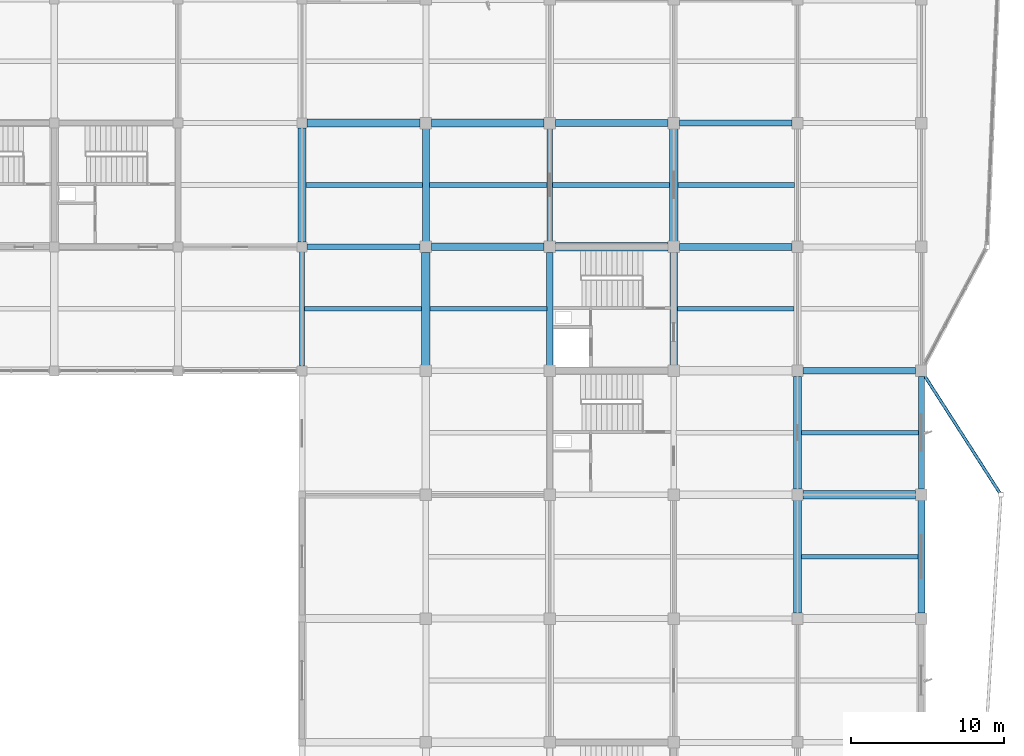
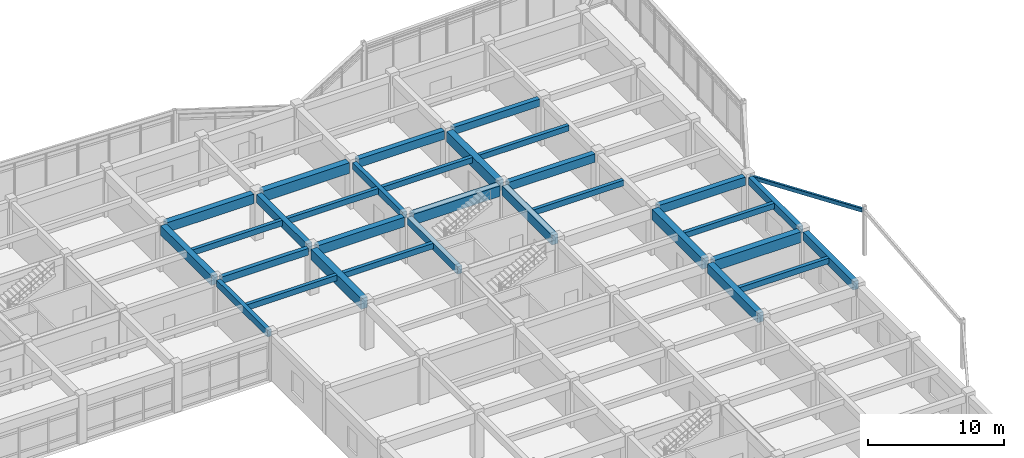
# One storey, part 42 of 89: 32 beams.
"""IFC4 building model written with IfcOpenShell, lengths in metres."""

from ifc_helpers import new_model, si_unit, direction, frame, origin, origin_2d, place, context, subcontext, project, spatial, rectangle, hollow_rectangle, extrude, material, material_profile, profile_set, type_object, element, save


model = new_model("IFC4")

# Units and contexts
model_context = context("Model", 3, precision=1e-05, world=origin(), true_north=direction((0.0, 1.0)))
body_context = subcontext(model_context, "Body", "Model", "MODEL_VIEW")
ifc_project = project(units=[si_unit("LENGTHUNIT", "METRE"), si_unit("AREAUNIT", "SQUARE_METRE"), si_unit("VOLUMEUNIT", "CUBIC_METRE"), si_unit("PLANEANGLEUNIT", "RADIAN"), si_unit("MASSUNIT", "GRAM", prefix="KILO")], contexts=[model_context])

# Site, building, storey
site_placement = place(None, origin())
site = spatial("IfcSite", under=ifc_project, at=site_placement, CompositionType="ELEMENT")
building_placement = place(site_placement, origin())
building = spatial("IfcBuilding", under=site, at=building_placement, Name="Vaudrelin Polytechnic", CompositionType="ELEMENT")
storey_placement = place(building_placement, frame((0.0, 0.0, 9.68994140625)))
storey = spatial("IfcBuildingStorey", under=building, at=storey_placement, Name="L02", CompositionType="ELEMENT", Elevation=9.68994140625)

# Beams
ifc_material_1 = material(Name="Concrete 40 MPa", Category="concrete")
ifc_material_profile_1 = material_profile(ifc_material_1, rectangle(XDim=0.35009765625, YDim=0.60009765625, at=origin_2d()), Name="RC350x600")
ifc_profile_set_1 = profile_set([ifc_material_profile_1], Name="Concrete 40 MPa")
beam_type_1 = type_object("IfcBeamType", Name="BM-BM-RC3560", PredefinedType="BEAM", material=ifc_profile_set_1)
beam_1_placement = place(storey_placement, frame((129.60009765625, 97.510009765625, 3.840087890625), z_axis=(0.0, 1.0, 0.0), x_axis=(-1.0, 0.0, 0.0)))
element("IfcBeam", 1, at=beam_1_placement, inside=storey, type_object=beam_type_1, Name="L02 Y-beam 17-13", PredefinedType="BEAM", context=body_context, shape_type="SweptSolid", body=[
    extrude(rectangle(XDim=0.35009765625, YDim=0.60009765625, at=origin_2d()), origin(), (0.0, 0.0, 1.0), 7.47998046875),
])
beam_2_placement = place(storey_placement, frame((145.800048828125, 105.659912109375, 3.840087890625), z_axis=(0.0, 1.0, 0.0), x_axis=(-1.0, 0.0, 0.0)))
element("IfcBeam", 2, at=beam_2_placement, inside=storey, type_object=beam_type_1, Name="L02 Y-beam 19-14", PredefinedType="BEAM", context=body_context, shape_type="SweptSolid", body=[
    extrude(rectangle(XDim=0.35009765625, YDim=0.60009765625, at=origin_2d()), origin(), (0.0, 0.0, 1.0), 7.380126953125),
])
beam_3_placement = place(storey_placement, frame((129.9208984375, 105.300048828125, 3.840087890625), z_axis=(1.0, 0.0, 0.0), x_axis=(0.0, 1.0, 0.0)))
element("IfcBeam", 3, at=beam_3_placement, inside=storey, type_object=beam_type_1, Name="L02 X-beam 17-14", PredefinedType="BEAM", context=body_context, shape_type="SweptSolid", body=[
    extrude(rectangle(XDim=0.35009765625, YDim=0.60009765625, at=origin_2d()), origin(), (0.0, 0.0, 1.0), 7.408203125),
])
ifc_material_profile_2 = material_profile(ifc_material_1, rectangle(XDim=0.39990234375, YDim=0.64990234375, at=origin_2d()), Name="RC400x650")
ifc_profile_set_2 = profile_set([ifc_material_profile_2], Name="Concrete 40 MPa")
beam_type_2 = type_object("IfcBeamType", Name="BM-BM-RC4065", PredefinedType="BEAM", material=ifc_profile_set_2)
beam_4_placement = place(storey_placement, frame((145.800048828125, 97.56005859375, 3.81494140625), z_axis=(0.0, 1.0, 0.0), x_axis=(-1.0, 0.0, 0.0)))
element("IfcBeam", 4, at=beam_4_placement, inside=storey, type_object=beam_type_2, Name="L02 Y-beam 19-13", PredefinedType="BEAM", context=body_context, shape_type="SweptSolid", body=[
    extrude(rectangle(XDim=0.39990234375, YDim=0.64990234375, at=origin_2d()), origin(), (0.0, 0.0, 1.0), 7.3798828125),
])
beam_5_placement = place(storey_placement, frame((154.27099609375, 113.39990234375, 3.81494140625), z_axis=(1.0, 0.0, 0.0), x_axis=(0.0, 1.0, 0.0)))
element("IfcBeam", 5, at=beam_5_placement, inside=storey, type_object=beam_type_2, Name="L02 X-beam 20-15", PredefinedType="BEAM", context=body_context, shape_type="SweptSolid", body=[
    extrude(rectangle(XDim=0.39990234375, YDim=0.64990234375, at=origin_2d()), origin(), (0.0, 0.0, 1.0), 7.35791015625),
])
ifc_material_profile_3 = material_profile(ifc_material_1, rectangle(XDim=0.449951171875, YDim=0.75, at=origin_2d()), Name="RC450x750")
ifc_profile_set_3 = profile_set([ifc_material_profile_3], Name="Concrete 40 MPa")
beam_type_3 = type_object("IfcBeamType", Name="BM-BM-RC4575", PredefinedType="BEAM", material=ifc_profile_set_3)
beam_6_placement = place(storey_placement, frame((137.699951171875, 105.659912109375, 3.76513671875), z_axis=(0.0, 1.0, 0.0), x_axis=(-1.0, 0.0, 0.0)))
element("IfcBeam", 6, at=beam_6_placement, inside=storey, type_object=beam_type_3, Name="L02 Y-beam 18-14", PredefinedType="BEAM", context=body_context, shape_type="SweptSolid", body=[
    extrude(rectangle(XDim=0.449951171875, YDim=0.75, at=origin_2d()), origin(), (0.0, 0.0, 1.0), 7.380126953125),
])
beam_7_placement = place(storey_placement, frame((170.10009765625, 81.360107421875, 3.76513671875), z_axis=(0.0, 1.0, 0.0), x_axis=(-1.0, 0.0, 0.0)))
element("IfcBeam", 7, at=beam_7_placement, inside=storey, type_object=beam_type_3, Name="L02 Y-beam 22-11", PredefinedType="BEAM", context=body_context, shape_type="SweptSolid", body=[
    extrude(rectangle(XDim=0.449951171875, YDim=0.75, at=origin_2d()), origin(), (0.0, 0.0, 1.0), 7.3798828125),
])
beam_8_placement = place(storey_placement, frame((146.1708984375, 113.39990234375, 3.76513671875), z_axis=(1.0, 0.0, 0.0), x_axis=(0.0, 1.0, 0.0)))
element("IfcBeam", 8, at=beam_8_placement, inside=storey, type_object=beam_type_3, Name="L02 X-beam 19-15", PredefinedType="BEAM", context=body_context, shape_type="SweptSolid", body=[
    extrude(rectangle(XDim=0.449951171875, YDim=0.75, at=origin_2d()), origin(), (0.0, 0.0, 1.0), 7.358154296875),
])
for number, where, z_axis, x_axis, name in (
    (9, (154.27099609375, 105.300048828125, 3.76513671875), (1.0, 0.0, 0.0), (0.0, 1.0, 0.0), "L02 X-beam 20-14"),
    (10, (162.37109375, 97.199951171875, 3.76513671875), (1.0, 0.0, 0.0), (0.0, 1.0, 0.0), "L02 X-beam 21-13"),
):
    element("IfcBeam", number, at=place(storey_placement, frame(where, z_axis=z_axis, x_axis=x_axis)), inside=storey, type_object=beam_type_3, Name=name, PredefinedType="BEAM", context=body_context, shape_type="SweptSolid", body=[
        extrude(rectangle(XDim=0.449951171875, YDim=0.75, at=origin_2d()), origin(), (0.0, 0.0, 1.0), 7.35791015625),
    ])
ifc_material_profile_4 = material_profile(ifc_material_1, rectangle(XDim=0.5, YDim=0.85009765625, at=origin_2d()), Name="RC500x850")
ifc_profile_set_4 = profile_set([ifc_material_profile_4], Name="Concrete 40 MPa")
beam_type_4 = type_object("IfcBeamType", Name="BM-BM-RC5085", PredefinedType="BEAM", material=ifc_profile_set_4)
beam_9_placement = place(storey_placement, frame((129.60009765625, 105.610107421875, 3.715087890625), z_axis=(0.0, 1.0, 0.0), x_axis=(-1.0, 0.0, 0.0)))
element("IfcBeam", 11, at=beam_9_placement, inside=storey, type_object=beam_type_4, Name="L02 Y-beam 17-14", PredefinedType="BEAM", context=body_context, shape_type="SweptSolid", body=[
    extrude(rectangle(XDim=0.5, YDim=0.85009765625, at=origin_2d()), origin(), (0.0, 0.0, 1.0), 7.47998046875),
])
for number, where, z_axis, x_axis, name in (
    (12, (153.89990234375, 97.56005859375, 3.715087890625), (0.0, 1.0, 0.0), (-1.0, 0.0, 0.0), "L02 Y-beam 20-13"),
    (13, (162.0, 81.360107421875, 3.715087890625), (0.0, 1.0, 0.0), (-1.0, 0.0, 0.0), "L02 Y-beam 21-11"),
):
    element("IfcBeam", number, at=place(storey_placement, frame(where, z_axis=z_axis, x_axis=x_axis)), inside=storey, type_object=beam_type_4, Name=name, PredefinedType="BEAM", context=body_context, shape_type="SweptSolid", body=[
        extrude(rectangle(XDim=0.5, YDim=0.85009765625, at=origin_2d()), origin(), (0.0, 0.0, 1.0), 7.3798828125),
    ])
beam_10_placement = place(storey_placement, frame((129.9208984375, 113.39990234375, 3.715087890625), z_axis=(1.0, 0.0, 0.0), x_axis=(0.0, 1.0, 0.0)))
element("IfcBeam", 14, at=beam_10_placement, inside=storey, type_object=beam_type_4, Name="L02 X-beam 17-15", PredefinedType="BEAM", context=body_context, shape_type="SweptSolid", body=[
    extrude(rectangle(XDim=0.5, YDim=0.85009765625, at=origin_2d()), origin(), (0.0, 0.0, 1.0), 7.408203125),
])
beam_11_placement = place(storey_placement, frame((138.071044921875, 105.300048828125, 3.715087890625), z_axis=(1.0, 0.0, 0.0), x_axis=(0.0, 1.0, 0.0)))
element("IfcBeam", 15, at=beam_11_placement, inside=storey, type_object=beam_type_4, Name="L02 X-beam 18-14", PredefinedType="BEAM", context=body_context, shape_type="SweptSolid", body=[
    extrude(rectangle(XDim=0.5, YDim=0.85009765625, at=origin_2d()), origin(), (0.0, 0.0, 1.0), 7.35791015625),
])
ifc_material_2 = material(Name="Concrete 50 MPa", Category="concrete")
ifc_material_profile_5 = material_profile(ifc_material_2, rectangle(XDim=0.550048828125, YDim=0.949951171875, at=origin_2d()), Name="RC550x950")
ifc_profile_set_5 = profile_set([ifc_material_profile_5], Name="Concrete 50 MPa")
beam_type_5 = type_object("IfcBeamType", Name="BM-BM-RC5595", PredefinedType="BEAM", material=ifc_profile_set_5)
beam_12_placement = place(storey_placement, frame((137.699951171875, 97.56005859375, 3.6650390625), z_axis=(0.0, 1.0, 0.0), x_axis=(-1.0, 0.0, 0.0)))
element("IfcBeam", 16, at=beam_12_placement, inside=storey, type_object=beam_type_5, Name="L02 Y-beam 18-13", PredefinedType="BEAM", context=body_context, shape_type="SweptSolid", body=[
    extrude(rectangle(XDim=0.550048828125, YDim=0.949951171875, at=origin_2d()), origin(), (0.0, 0.0, 1.0), 7.3798828125),
])
for number, where, z_axis, x_axis, name in (
    (17, (153.89990234375, 105.659912109375, 3.6650390625), (0.0, 1.0, 0.0), (-1.0, 0.0, 0.0), "L02 Y-beam 20-14"),
    (18, (162.0, 89.4599609375, 3.6650390625), (0.0, 1.0, 0.0), (-1.0, 0.0, 0.0), "L02 Y-beam 21-12"),
):
    element("IfcBeam", number, at=place(storey_placement, frame(where, z_axis=z_axis, x_axis=x_axis)), inside=storey, type_object=beam_type_5, Name=name, PredefinedType="BEAM", context=body_context, shape_type="SweptSolid", body=[
        extrude(rectangle(XDim=0.550048828125, YDim=0.949951171875, at=origin_2d()), origin(), (0.0, 0.0, 1.0), 7.380126953125),
    ])
beam_13_placement = place(storey_placement, frame((138.071044921875, 113.39990234375, 3.6650390625), z_axis=(1.0, 0.0, 0.0), x_axis=(0.0, 1.0, 0.0)))
element("IfcBeam", 19, at=beam_13_placement, inside=storey, type_object=beam_type_5, Name="L02 X-beam 18-15", PredefinedType="BEAM", context=body_context, shape_type="SweptSolid", body=[
    extrude(rectangle(XDim=0.550048828125, YDim=0.949951171875, at=origin_2d()), origin(), (0.0, 0.0, 1.0), 7.35791015625),
])
beam_14_placement = place(storey_placement, frame((146.1708984375, 105.300048828125, 3.6650390625), z_axis=(1.0, 0.0, 0.0), x_axis=(0.0, 1.0, 0.0)))
element("IfcBeam", 20, at=beam_14_placement, inside=storey, type_object=beam_type_5, Name="L02 X-beam 19-14", PredefinedType="BEAM", context=body_context, shape_type="SweptSolid", body=[
    extrude(rectangle(XDim=0.550048828125, YDim=0.949951171875, at=origin_2d()), origin(), (0.0, 0.0, 1.0), 7.358154296875),
])
beam_15_placement = place(storey_placement, frame((162.37109375, 89.10009765625, 3.6650390625), z_axis=(1.0, 0.0, 0.0), x_axis=(0.0, 1.0, 0.0)))
element("IfcBeam", 21, at=beam_15_placement, inside=storey, type_object=beam_type_5, Name="L02 X-beam 21-12", PredefinedType="BEAM", context=body_context, shape_type="SweptSolid", body=[
    extrude(rectangle(XDim=0.550048828125, YDim=0.949951171875, at=origin_2d()), origin(), (0.0, 0.0, 1.0), 7.35791015625),
])
ifc_material_profile_6 = material_profile(ifc_material_1, rectangle(XDim=0.300048828125, YDim=0.5, at=origin_2d()), Name="RC300x500")
ifc_profile_set_6 = profile_set([ifc_material_profile_6], Name="Concrete 40 MPa")
beam_type_6 = type_object("IfcBeamType", Name="BM-JS-RC3050", PredefinedType="JOIST", material=ifc_profile_set_6)
beam_16_placement = place(storey_placement, frame((129.77099609375, 101.25, 3.89013671875), z_axis=(1.0, 0.0, 0.0), x_axis=(0.0, 1.0, 0.0)))
element("IfcBeam", 22, at=beam_16_placement, inside=storey, type_object=beam_type_6, Name="L02 floor joist 17-13", PredefinedType="JOIST", context=body_context, shape_type="SweptSolid", body=[
    extrude(rectangle(XDim=0.300048828125, YDim=0.5, at=origin_2d()), origin(), (0.0, 0.0, 1.0), 7.657958984375),
])
for number, where, z_axis, x_axis, name in (
    (23, (129.845947265625, 109.35009765625, 3.89013671875), (1.0, 0.0, 0.0), (0.0, 1.0, 0.0), "L02 floor joist 17-14"),
    (24, (137.970947265625, 101.25, 3.89013671875), (1.0, 0.0, 0.0), (0.0, 1.0, 0.0), "L02 floor joist 18-13"),
):
    element("IfcBeam", number, at=place(storey_placement, frame(where, z_axis=z_axis, x_axis=x_axis)), inside=storey, type_object=beam_type_6, Name=name, PredefinedType="JOIST", context=body_context, shape_type="SweptSolid", body=[
        extrude(rectangle(XDim=0.300048828125, YDim=0.5, at=origin_2d()), origin(), (0.0, 0.0, 1.0), 7.633056640625),
    ])
beam_17_placement = place(storey_placement, frame((137.9208984375, 109.35009765625, 3.89013671875), z_axis=(1.0, 0.0, 0.0), x_axis=(0.0, 1.0, 0.0)))
element("IfcBeam", 25, at=beam_17_placement, inside=storey, type_object=beam_type_6, Name="L02 floor joist 18-14", PredefinedType="JOIST", context=body_context, shape_type="SweptSolid", body=[
    extrude(rectangle(XDim=0.300048828125, YDim=0.5, at=origin_2d()), origin(), (0.0, 0.0, 1.0), 7.7080078125),
])
beam_18_placement = place(storey_placement, frame((145.970947265625, 109.35009765625, 3.89013671875), z_axis=(1.0, 0.0, 0.0), x_axis=(0.0, 1.0, 0.0)))
element("IfcBeam", 26, at=beam_18_placement, inside=storey, type_object=beam_type_6, Name="L02 floor joist 19-14", PredefinedType="JOIST", context=body_context, shape_type="SweptSolid", body=[
    extrude(rectangle(XDim=0.300048828125, YDim=0.5, at=origin_2d()), origin(), (0.0, 0.0, 1.0), 7.657958984375),
])
for number, where, z_axis, x_axis, name in (
    (27, (154.14599609375, 101.25, 3.89013671875), (1.0, 0.0, 0.0), (0.0, 1.0, 0.0), "L02 floor joist 20-13"),
    (28, (154.1708984375, 109.35009765625, 3.89013671875), (1.0, 0.0, 0.0), (0.0, 1.0, 0.0), "L02 floor joist 20-14"),
):
    element("IfcBeam", number, at=place(storey_placement, frame(where, z_axis=z_axis, x_axis=x_axis)), inside=storey, type_object=beam_type_6, Name=name, PredefinedType="JOIST", context=body_context, shape_type="SweptSolid", body=[
        extrude(rectangle(XDim=0.300048828125, YDim=0.5, at=origin_2d()), origin(), (0.0, 0.0, 1.0), 7.633056640625),
    ])
beam_19_placement = place(storey_placement, frame((162.24609375, 85.050048828125, 3.89013671875), z_axis=(1.0, 0.0, 0.0), x_axis=(0.0, 1.0, 0.0)))
element("IfcBeam", 29, at=beam_19_placement, inside=storey, type_object=beam_type_6, Name="L02 floor joist 21-11", PredefinedType="JOIST", context=body_context, shape_type="SweptSolid", body=[
    extrude(rectangle(XDim=0.300048828125, YDim=0.5, at=origin_2d()), origin(), (0.0, 0.0, 1.0), 7.6328125),
])
beam_20_placement = place(storey_placement, frame((162.27099609375, 93.14990234375, 3.89013671875), z_axis=(1.0, 0.0, 0.0), x_axis=(0.0, 1.0, 0.0)))
element("IfcBeam", 30, at=beam_20_placement, inside=storey, type_object=beam_type_6, Name="L02 floor joist 21-12", PredefinedType="JOIST", context=body_context, shape_type="SweptSolid", body=[
    extrude(rectangle(XDim=0.300048828125, YDim=0.5, at=origin_2d()), origin(), (0.0, 0.0, 1.0), 7.633056640625),
])
ifc_material_3 = material(Name="Steel CSA G40.21 350WT", Category="steel")
ifc_material_profile_7 = material_profile(ifc_material_3, hollow_rectangle(XDim=0.202880859375, YDim=0.35595703125, WallThickness=0.0126953125, InnerFilletRadius=0.0126953125, OuterFilletRadius=0.025390625, at=origin_2d()), Name="HSS356x203x12.7")
ifc_profile_set_7 = profile_set([ifc_material_profile_7], Name="Steel CSA G40.21 350WT")
beam_type_7 = type_object("IfcBeamType", Name="BM-SP-HSS35", PredefinedType="SPANDREL", material=ifc_profile_set_7)
beam_21_placement = place(storey_placement, frame((175.224365234375, 89.2177734375, 3.962158203125), z_axis=(-0.540233319411, 0.841515276509, 0.0), x_axis=(-0.841515276509, -0.540233319411, 0.0)))
element("IfcBeam", 31, at=beam_21_placement, inside=storey, type_object=beam_type_7, Name="Sculptural edge beam L02 E_OR2_B3", PredefinedType="SPANDREL", context=body_context, shape_type="SweptSolid", body=[
    extrude(hollow_rectangle(XDim=0.202880859375, YDim=0.35595703125, WallThickness=0.0126953125, InnerFilletRadius=0.0126953125, OuterFilletRadius=0.025390625, at=origin_2d()), origin(), (0.0, 0.0, 1.0), 9.345703125),
])
ifc_material_profile_8 = material_profile(ifc_material_1, rectangle(XDim=0.39990234375, YDim=0.64990234375, at=origin_2d()), Name="RC400x650")
ifc_profile_set_8 = profile_set([ifc_material_profile_8], Name="Concrete 40 MPa")
beam_type_8 = type_object("IfcBeamType", Name="BM-SP-RC4065", PredefinedType="SPANDREL", material=ifc_profile_set_8)
beam_22_placement = place(storey_placement, frame((170.10009765625, 89.4599609375, 3.81494140625), z_axis=(0.0, 1.0, 0.0), x_axis=(-1.0, 0.0, 0.0)))
element("IfcBeam", 32, at=beam_22_placement, inside=storey, type_object=beam_type_8, Name="L02 Y-beam 22-12", PredefinedType="SPANDREL", context=body_context, shape_type="SweptSolid", body=[
    extrude(rectangle(XDim=0.39990234375, YDim=0.64990234375, at=origin_2d()), origin(), (0.0, 0.0, 1.0), 7.380126953125),
])

save(model, "model.ifc")
